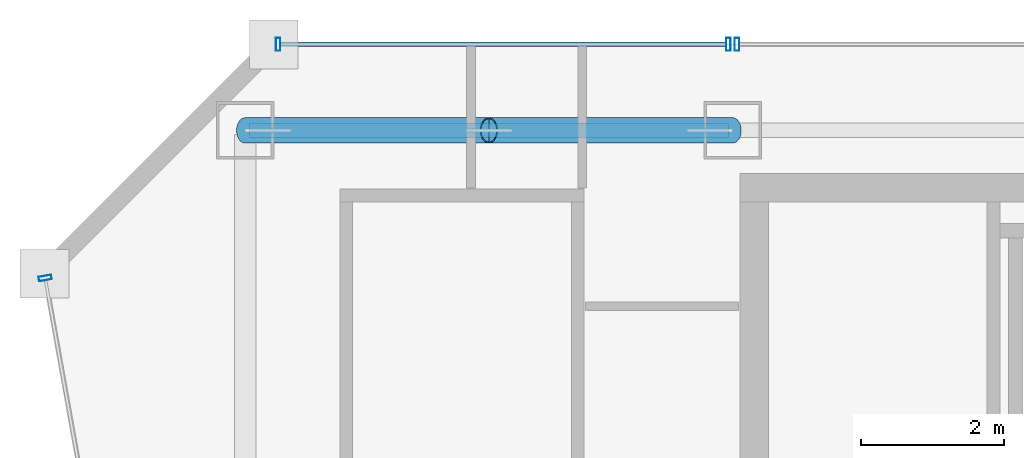
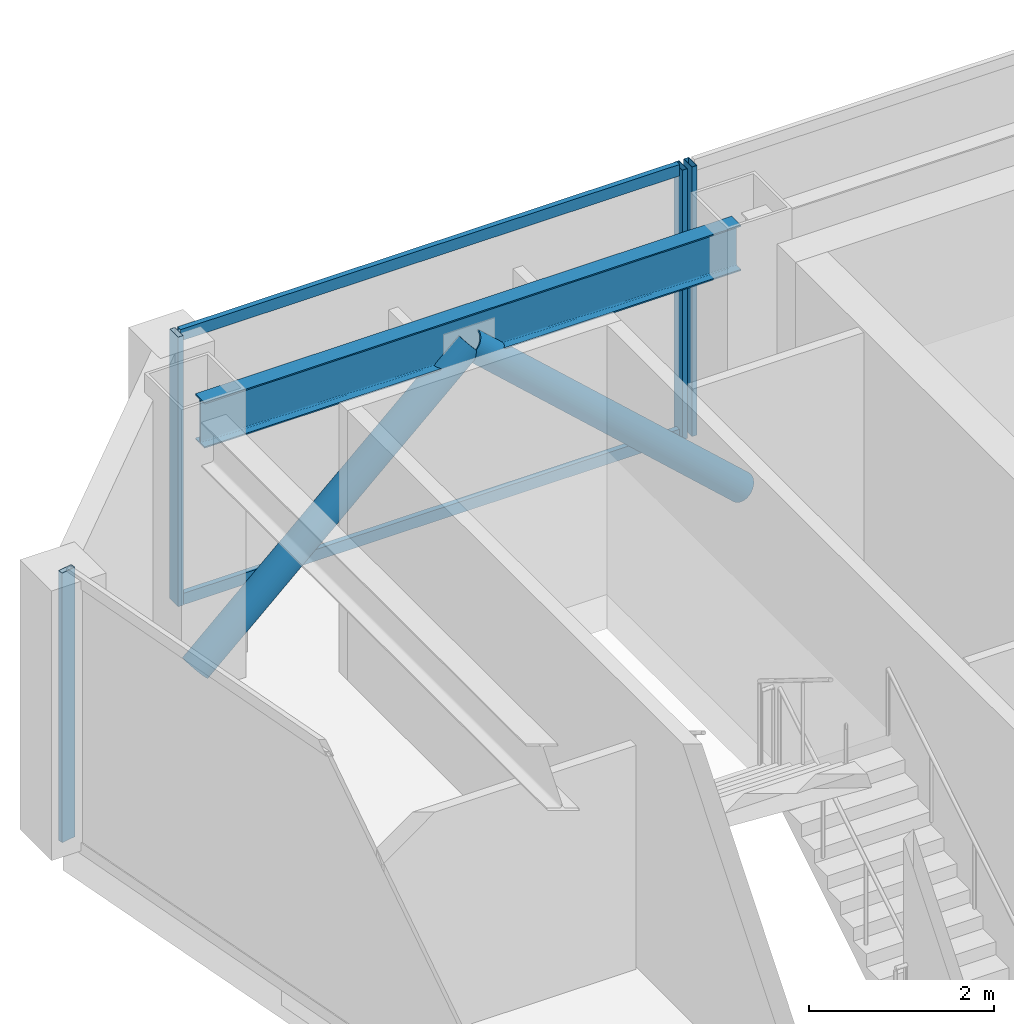
# One storey, part 13 of 28: 8 members, 1 beam, 3 elements without a shape of their own.
"""IFC4 building model written with IfcOpenShell, lengths in metres."""

import ifcopenshell
import ifcopenshell.guid

model = None  # the IFC model being written
_history = None  # IfcOwnerHistory: only IFC2X3 demands one
_inside = {}  # id of a spatial element -> (the spatial element, [elements in it])
_under = {}  # id of a project, library or spatial element -> (it, [spatial elements below it])
_declared = {}  # id of a project -> (the project, [libraries it declares])
_typed = {}  # id of a type object -> (the type object, [elements of that type])
_made_of = {}  # id of a material, layer set ... -> (it, [elements and type objects made of it])


def new_model(schema):
    """Start an empty IFC model of exactly this schema.

    Asked for "IFC4X3", IfcOpenShell would pick the latest addendum, in which some entities
    have other attributes; the version numbers below select the first issue.
    IFC2X3 requires an IfcOwnerHistory on every rooted entity: one is made here for all.
    """
    global model, _history
    if schema == "IFC4X3":
        model = ifcopenshell.file(schema_version=(4, 3, 0, 0))
    else:
        model = ifcopenshell.file(schema=schema)
    _inside.clear()
    _under.clear()
    _declared.clear()
    _typed.clear()
    _made_of.clear()
    _history = None
    if model.schema == "IFC2X3":
        org = make("IfcOrganization", Name="unknown")
        user = make(
            "IfcPersonAndOrganization",
            ThePerson=make("IfcPerson", FamilyName="unknown"),
            TheOrganization=org,
        )
        app = make(
            "IfcApplication",
            ApplicationDeveloper=org,
            Version="unknown",
            ApplicationFullName="unknown",
            ApplicationIdentifier="unknown",
        )
        _history = make(
            "IfcOwnerHistory",
            OwningUser=user,
            OwningApplication=app,
            ChangeAction="ADDED",
            CreationDate=0,
        )
    return model


def make(cls, **values):
    """One entity of the class cls with the attributes given. An attribute that is None is left unset."""
    return model.create_entity(
        cls, **{name: value for name, value in values.items() if value is not None}
    )


def rooted(cls, **values):
    """An entity with a GlobalId (a new one), such as an element, a storey or a relation."""
    return make(cls, GlobalId=ifcopenshell.guid.new(), OwnerHistory=_history, **values)


def si_unit(unit_type, name, prefix=None):
    """IfcSIUnit, for example si_unit("LENGTHUNIT", "METRE", prefix="MILLI")."""
    return make("IfcSIUnit", UnitType=unit_type, Prefix=prefix, Name=name)


def assignment(units):
    """IfcUnitAssignment: the units of a project."""
    return None if units is None else make("IfcUnitAssignment", Units=units)


def point(xyz):
    """IfcCartesianPoint."""
    return None if xyz is None else make("IfcCartesianPoint", Coordinates=xyz)


def direction(xyz):
    """IfcDirection."""
    return None if xyz is None else make("IfcDirection", DirectionRatios=xyz)


def frame(location, z_axis=None, x_axis=None):
    """IfcAxis2Placement3D, a coordinate frame: its origin and axes. An axis left out is left unset."""
    return make(
        "IfcAxis2Placement3D",
        Location=point(location),
        Axis=direction(z_axis),
        RefDirection=direction(x_axis),
    )


def frame_2d(location, x_axis=None):
    """IfcAxis2Placement2D, a coordinate frame in the plane: its origin and x axis."""
    return make(
        "IfcAxis2Placement2D", Location=point(location), RefDirection=direction(x_axis)
    )


def origin():
    """The frame at (0, 0, 0) with its axes left unset."""
    return frame((0.0, 0.0, 0.0))


def origin_2d():
    """The frame at (0, 0) in the plane with its x axis left unset."""
    return frame_2d((0.0, 0.0))


def place(relative_to, where):
    """IfcLocalPlacement: puts the frame where relative to a parent placement (None: the world)."""
    return make(
        "IfcLocalPlacement", PlacementRelTo=relative_to, RelativePlacement=where
    )


def context(
    kind, dimensions, precision=None, world=None, true_north=None, identifier=None
):
    """IfcGeometricRepresentationContext, for example the 3D "Model" context."""
    return make(
        "IfcGeometricRepresentationContext",
        ContextIdentifier=identifier,
        ContextType=kind,
        CoordinateSpaceDimension=dimensions,
        Precision=precision,
        WorldCoordinateSystem=world,
        TrueNorth=true_north,
    )


def subcontext(parent, identifier, kind, view, scale=None):
    """IfcGeometricRepresentationSubContext, for example "Body" below "Model"."""
    return make(
        "IfcGeometricRepresentationSubContext",
        ContextIdentifier=identifier,
        ContextType=kind,
        ParentContext=parent,
        TargetScale=scale,
        TargetView=view,
    )


def project(units=None, contexts=None):
    """IfcProject with its units and contexts."""
    return rooted(
        "IfcProject",
        Name="project",
        RepresentationContexts=contexts,
        UnitsInContext=assignment(units),
    )


def spatial(cls, under=None, at=None, **own):
    """A site, building, storey or space (cls), placed at a placement, below another one or the project."""
    s = rooted(cls, ObjectPlacement=at, **own)
    if under is not None:
        _under.setdefault(under.id(), (under, []))[1].append(s)
    return s


def profile(cls, at=None, kind="AREA", **sizes):
    """A parametric profile (cls). Its sizes go by their IFC names, for example OverallWidth=200.0."""
    return make(cls, ProfileType=kind, Position=at, **sizes)


def hollow_rectangle(**sizes):
    """IfcRectangleHollowProfileDef."""
    return profile("IfcRectangleHollowProfileDef", **sizes)


def hollow_circle(**sizes):
    """IfcCircleHollowProfileDef."""
    return profile("IfcCircleHollowProfileDef", **sizes)


def i_section(**sizes):
    """IfcIShapeProfileDef."""
    return profile("IfcIShapeProfileDef", **sizes)


def extrude(swept, where, along, depth):
    """IfcExtrudedAreaSolid: the profile swept, set in the frame where, extruded along a direction by depth."""
    return make(
        "IfcExtrudedAreaSolid",
        SweptArea=swept,
        Position=where,
        ExtrudedDirection=direction(along),
        Depth=depth,
    )


def shape(context_of_items, identifier, shape_type, items):
    """IfcShapeRepresentation: the items that make up one representation, for example the "Body"."""
    return make(
        "IfcShapeRepresentation",
        ContextOfItems=context_of_items,
        RepresentationIdentifier=identifier,
        RepresentationType=shape_type,
        Items=items,
    )


def material(Name=None, Category=None):
    """IfcMaterial."""
    return make("IfcMaterial", Name=Name, Category=Category)


def material_profile(
    of_material, cross_section, Name=None, Category=None, Priority=None
):
    """IfcMaterialProfile: a cross section and its material."""
    return make(
        "IfcMaterialProfile",
        Name=Name,
        Material=of_material,
        Profile=cross_section,
        Priority=Priority,
        Category=Category,
    )


def profile_set(profiles, Name=None, composite=None):
    """IfcMaterialProfileSet."""
    return make(
        "IfcMaterialProfileSet",
        Name=Name,
        MaterialProfiles=profiles,
        CompositeProfile=composite,
    )


def made_of(thing, what):
    """Note that an element or type object is made of a material, layer set ...; save() writes the relation."""
    if what is not None:
        _made_of.setdefault(what.id(), (what, []))[1].append(thing)
    return thing


def type_object(cls, material=None, **own):
    """A type object (cls), such as IfcWallType, which elements share."""
    return made_of(rooted(cls, **own), material)


def element(
    cls,
    number,
    at=None,
    inside=None,
    cuts=None,
    type_object=None,
    material=None,
    context=None,
    identifier="Body",
    shape_type=None,
    held_by="IfcProductDefinitionShape",
    body=None,
    shapes=None,
    **own,
):
    """One element of the class cls, such as IfcWall. Its Tag is "e" and its number.

    at: its placement. inside: the storey or other place that contains it. cuts: it is an
    opening in that element (IfcRelVoidsElement). A single representation is given by context,
    identifier, shape_type and body (its items); several are given by shapes. held_by: the class
    of the entity that holds the representations. save() writes the other relations.
    """
    e = rooted(cls, Tag="e%d" % number, ObjectPlacement=at, **own)
    if body is not None:
        shapes = [shape(context, identifier, shape_type, body)]
    if shapes is not None:
        e.Representation = make(held_by, Representations=shapes)
    if inside is not None:
        _inside.setdefault(inside.id(), (inside, []))[1].append(e)
    if cuts is not None:
        rooted(
            "IfcRelVoidsElement", RelatingBuildingElement=cuts, RelatedOpeningElement=e
        )
    if type_object is not None:
        _typed.setdefault(type_object.id(), (type_object, []))[1].append(e)
    return made_of(e, material)


def aggregate(whole, parts):
    """IfcRelAggregates: a whole, such as a stair, and the parts it consists of."""
    return rooted("IfcRelAggregates", RelatingObject=whole, RelatedObjects=parts)


def save(model, path):
    """Write the relations noted so far, then the file.

    IfcRelAggregates (storeys below a building ...), IfcRelContainedInSpatialStructure (elements
    in a storey), IfcRelDefinesByType, IfcRelAssociatesMaterial and IfcRelDeclares: one each for
    every whole, place, type object, material and project.
    """
    for whole, parts in _under.values():
        aggregate(whole, parts)
    for where, things in _inside.values():
        rooted(
            "IfcRelContainedInSpatialStructure",
            RelatedElements=things,
            RelatingStructure=where,
        )
    for kind, things in _typed.values():
        rooted("IfcRelDefinesByType", RelatedObjects=things, RelatingType=kind)
    for what, things in _made_of.values():
        rooted("IfcRelAssociatesMaterial", RelatedObjects=things, RelatingMaterial=what)
    for by, libraries in _declared.values():
        rooted("IfcRelDeclares", RelatingContext=by, RelatedDefinitions=libraries)
    model.write(path)


model = new_model("IFC4")

# Units and contexts
model_context = context("Model", 3, precision=1e-05, world=origin(), true_north=direction((0.0, 1.0)))
body_context = subcontext(model_context, "Body", "Model", "MODEL_VIEW")
ifc_project = project(units=[si_unit("LENGTHUNIT", "METRE"), si_unit("AREAUNIT", "SQUARE_METRE"), si_unit("VOLUMEUNIT", "CUBIC_METRE"), si_unit("PLANEANGLEUNIT", "RADIAN"), si_unit("MASSUNIT", "GRAM", prefix="KILO")], contexts=[model_context])

# Site, building, storey
site_placement = place(None, origin())
site = spatial("IfcSite", under=ifc_project, at=site_placement, CompositionType="ELEMENT")
building_placement = place(site_placement, origin())
building = spatial("IfcBuilding", under=site, at=building_placement, Name="Saevonmaru Cultural Tower", CompositionType="ELEMENT")
storey_placement = place(building_placement, frame((0.0, 0.0, 253.39990234375)))
storey = spatial("IfcBuildingStorey", under=building, at=storey_placement, Name="L59", CompositionType="ELEMENT", Elevation=253.39990234375)

# Beam
ifc_material_1 = material(Name="Steel SM355", Category="steel")
ifc_material_profile_1 = material_profile(ifc_material_1, i_section(OverallWidth=0.199951171875, OverallDepth=0.60009765625, WebThickness=0.010986328125, FlangeThickness=0.01708984375, FilletRadius=0.02197265625, at=origin_2d()), Name="H-600x200x11x17")
ifc_profile_set_1 = profile_set([ifc_material_profile_1], Name="Steel SM355")
beam_type = type_object("IfcBeamType", Name="BM-SP-H600", PredefinedType="SPANDREL", material=ifc_profile_set_1)
beam_placement = place(storey_placement, frame((6.860107421875, 54.800048828125, 3.25), z_axis=(1.0, 0.0, 0.0), x_axis=(0.0, 1.0, 0.0)))
element("IfcBeam", 1, at=beam_placement, inside=storey, type_object=beam_type, Name="L59 North Spine Girder 1", PredefinedType="SPANDREL", context=body_context, shape_type="SweptSolid", body=[
    extrude(i_section(OverallWidth=0.199951171875, OverallDepth=0.60009765625, WebThickness=0.010986328125, FlangeThickness=0.01708984375, FilletRadius=0.02197265625, at=origin_2d()), origin(), (0.0, 0.0, 1.0), 6.679931640625),
])

# Members
ifc_material_profile_2 = material_profile(ifc_material_1, hollow_circle(Radius=0.177734375, WallThickness=0.01611328125, at=origin_2d()), Name="CHS-355.6x16")
ifc_profile_set_2 = profile_set([ifc_material_profile_2], Name="Steel SM355")
member_type_1 = type_object("IfcMemberType", Name="MB-PBR-CHS356", PredefinedType="BRACE", material=ifc_profile_set_2)
member_1_placement = place(storey_placement, frame((6.800048828125, 54.800048828125, 0.02001953125), z_axis=(0.738935641579, 0.0, 0.673776014417), x_axis=(0.0, 1.0, 0.0)))
element("IfcMember", 2, at=member_1_placement, inside=storey, type_object=member_type_1, Name="L59 Perimeter Braced-Tube Diagonal WN1", PredefinedType="BRACE", context=body_context, shape_type="SweptSolid", body=[
    extrude(hollow_circle(Radius=0.177734375, WallThickness=0.01611328125, at=origin_2d()), origin(), (0.0, 0.0, 1.0), 4.60107421875),
])
member_2_placement = place(storey_placement, frame((13.60009765625, 54.800048828125, 0.02001953125), z_axis=(-0.738959728749, 0.0, 0.673749596873), x_axis=(0.0, -1.0, 0.0)))
element("IfcMember", 3, at=member_2_placement, inside=storey, type_object=member_type_1, Name="L59 Perimeter Braced-Tube Diagonal WN2", PredefinedType="BRACE", context=body_context, shape_type="SweptSolid", body=[
    extrude(hollow_circle(Radius=0.177734375, WallThickness=0.01611328125, at=origin_2d()), origin(), (0.0, 0.0, 1.0), 4.601318359375),
])

# Curtain wall, member
ifc_material_2 = material(Name="Satin Bronze Anodised Aluminium", Category="aluminium")
curtain_wall_type = type_object("IfcCurtainWallType", Name="CW-TYP-B", PredefinedType="NOTDEFINED", material=ifc_material_2)
curtain_wall_1_placement = place(storey_placement, origin())
curtain_wall_1 = element("IfcCurtainWall", 4, at=curtain_wall_1_placement, inside=storey, type_object=curtain_wall_type, Name="L59 North Spine Unitised Curtain Wall E10B", PredefinedType="NOTDEFINED")
ifc_material_profile_3 = material_profile(ifc_material_2, hollow_rectangle(XDim=0.06494140625, YDim=0.179931640625, WallThickness=0.00390625, at=origin_2d()), Name="ALU-MULL-180x65x4")
ifc_profile_set_3 = profile_set([ifc_material_profile_3], Name="Satin Bronze Anodised Aluminium")
member_type_2 = type_object("IfcMemberType", Name="ML-CW-180x65", PredefinedType="MULLION", material=ifc_profile_set_3)
member_3_placement = place(storey_placement, frame((13.659912109375, 56.0, 0.0), z_axis=(0.0, 0.0, 1.0), x_axis=(-1.0, 0.0, 0.0)))
member_3 = element("IfcMember", 5, at=member_3_placement, type_object=member_type_2, Name="CW-TW-L59-E10B mullion 4", PredefinedType="MULLION", context=body_context, shape_type="SweptSolid", body=[
    extrude(hollow_rectangle(XDim=0.06494140625, YDim=0.179931640625, WallThickness=0.00390625, at=origin_2d()), origin(), (0.0, 0.0, 1.0), 3.550048828125),
])
aggregate(curtain_wall_1, [member_3])

# Curtain wall, members
curtain_wall_2_placement = place(storey_placement, origin())
curtain_wall_2 = element("IfcCurtainWall", 6, at=curtain_wall_2_placement, inside=storey, type_object=curtain_wall_type, Name="L59 West Braced Bay Spandrel Curtain Wall E10C", PredefinedType="NOTDEFINED")
member_4_placement = place(storey_placement, frame((13.5400390625, 56.0, 0.0), z_axis=(0.0, 0.0, 1.0), x_axis=(-1.0, 0.0, 0.0)))
member_4 = element("IfcMember", 7, at=member_4_placement, type_object=member_type_2, Name="CW-TW-L59-E10C mullion 1", PredefinedType="MULLION", context=body_context, shape_type="SweptSolid", body=[
    extrude(hollow_rectangle(XDim=0.06494140625, YDim=0.179931640625, WallThickness=0.00390625, at=origin_2d()), origin(), (0.0, 0.0, 1.0), 3.550048828125),
])
member_5_placement = place(storey_placement, frame((7.260009765625, 56.0, 0.0), z_axis=(0.0, 0.0, 1.0), x_axis=(-1.0, 0.0, 0.0)))
member_5 = element("IfcMember", 8, at=member_5_placement, type_object=member_type_2, Name="CW-TW-L59-E10C mullion 2", PredefinedType="MULLION", context=body_context, shape_type="SweptSolid", body=[
    extrude(hollow_rectangle(XDim=0.06494140625, YDim=0.179931640625, WallThickness=0.00390625, at=origin_2d()), origin(), (0.0, 0.0, 1.0), 3.550048828125),
])

# Curtain wall, member
curtain_wall_3_placement = place(storey_placement, origin())
curtain_wall_3 = element("IfcCurtainWall", 9, at=curtain_wall_3_placement, inside=storey, type_object=curtain_wall_type, Name="L59 Unitised Curtain Wall E12", PredefinedType="NOTDEFINED")
member_6_placement = place(storey_placement, frame((4.010498046875, 52.740966796875, 0.0), z_axis=(0.0, 0.0, 1.0), x_axis=(0.176140740755, -0.984364993001, 0.0)))
member_6 = element("IfcMember", 10, at=member_6_placement, type_object=member_type_2, Name="CW-TW-L59-E12 mullion 1", PredefinedType="MULLION", context=body_context, shape_type="SweptSolid", body=[
    extrude(hollow_rectangle(XDim=0.06494140625, YDim=0.179931640625, WallThickness=0.00390625, at=origin_2d()), origin(), (0.0, 0.0, 1.0), 3.550048828125),
])
aggregate(curtain_wall_3, [member_6])

# Member
ifc_material_profile_4 = material_profile(ifc_material_2, hollow_rectangle(XDim=0.06494140625, YDim=0.14990234375, WallThickness=0.00390625, at=origin_2d()), Name="ALU-TRAN-150x65x4")
ifc_profile_set_4 = profile_set([ifc_material_profile_4], Name="Satin Bronze Anodised Aluminium")
member_type_3 = type_object("IfcMemberType", Name="TR-CW-150x65", PredefinedType="USERDEFINED", material=ifc_profile_set_4)
member_7_placement = place(storey_placement, frame((13.507568359375, 56.0, 0.03271484375), z_axis=(-1.0, 0.0, 0.0), x_axis=(0.0, -1.0, 0.0)))
member_7 = element("IfcMember", 11, at=member_7_placement, type_object=member_type_3, Name="CW-TW-L59-E10C transom 1.1", ObjectType="TRANSOM", PredefinedType="USERDEFINED", context=body_context, shape_type="SweptSolid", body=[
    extrude(hollow_rectangle(XDim=0.06494140625, YDim=0.14990234375, WallThickness=0.00390625, at=origin_2d()), origin(), (0.0, 0.0, 1.0), 6.215087890625),
])

member_8_placement = place(storey_placement, frame((13.507568359375, 56.0, 3.517578125), z_axis=(-1.0, 0.0, 0.0), x_axis=(0.0, -1.0, 0.0)))
member_8 = element("IfcMember", 12, at=member_8_placement, type_object=member_type_3, Name="CW-TW-L59-E10C transom 1.2", ObjectType="TRANSOM", PredefinedType="USERDEFINED", context=body_context, shape_type="SweptSolid", body=[
    extrude(hollow_rectangle(XDim=0.06494140625, YDim=0.14990234375, WallThickness=0.00390625, at=origin_2d()), origin(), (0.0, 0.0, 1.0), 6.215087890625),
])

aggregate(curtain_wall_2, [member_4, member_5, member_7, member_8])

save(model, "model.ifc")
